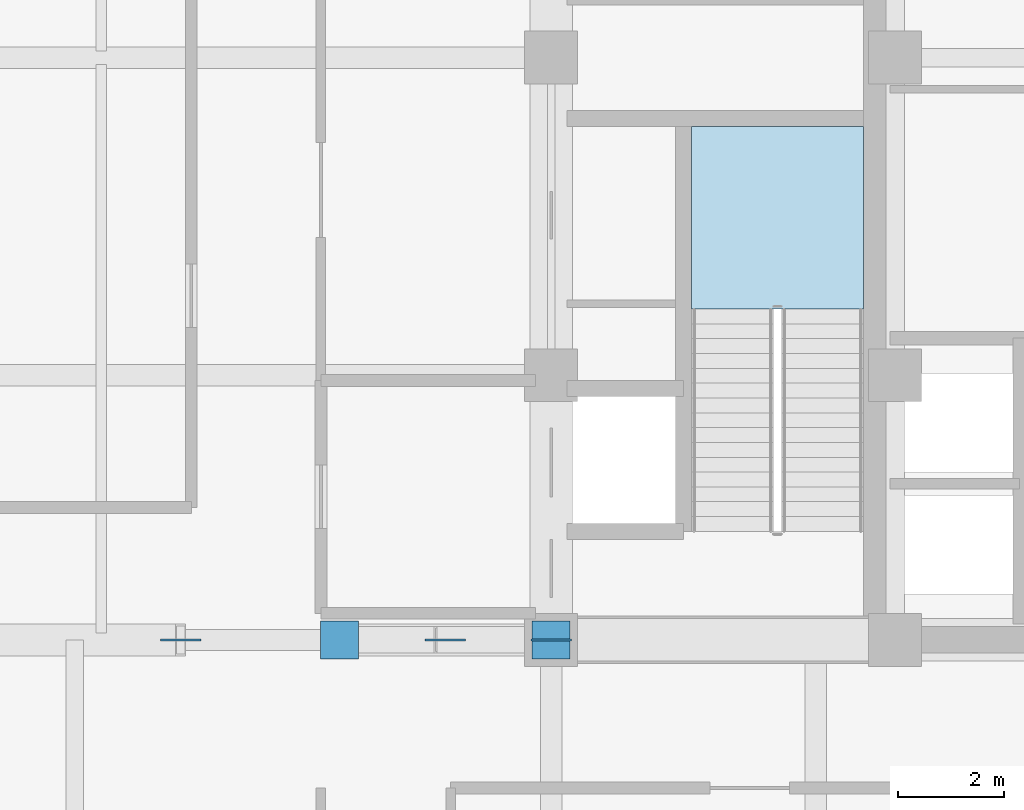
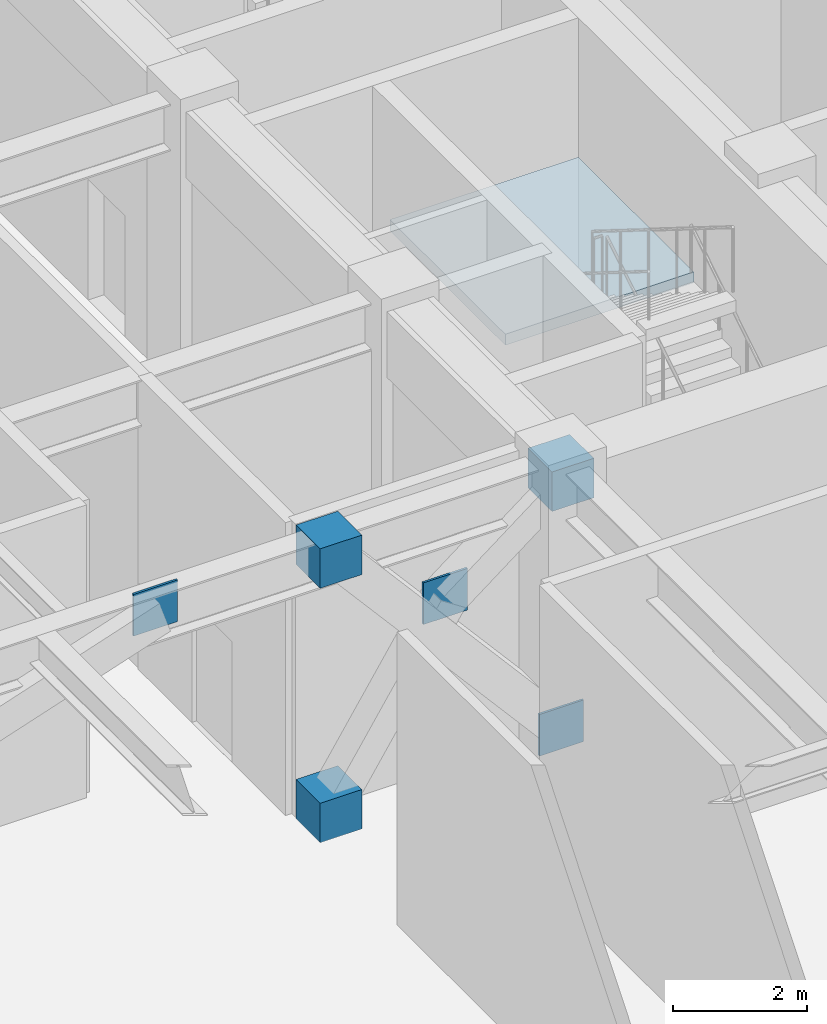
# One storey, part 4 of 21: 6 plates, 1 slab, 1 element without a shape of its own.
"""IFC4 building model written with IfcOpenShell, lengths in metres."""

import ifcopenshell
import ifcopenshell.guid

model = None  # the IFC model being written
_history = None  # IfcOwnerHistory: only IFC2X3 demands one
_inside = {}  # id of a spatial element -> (the spatial element, [elements in it])
_under = {}  # id of a project, library or spatial element -> (it, [spatial elements below it])
_declared = {}  # id of a project -> (the project, [libraries it declares])
_typed = {}  # id of a type object -> (the type object, [elements of that type])
_made_of = {}  # id of a material, layer set ... -> (it, [elements and type objects made of it])


def new_model(schema):
    """Start an empty IFC model of exactly this schema.

    Asked for "IFC4X3", IfcOpenShell would pick the latest addendum, in which some entities
    have other attributes; the version numbers below select the first issue.
    IFC2X3 requires an IfcOwnerHistory on every rooted entity: one is made here for all.
    """
    global model, _history
    if schema == "IFC4X3":
        model = ifcopenshell.file(schema_version=(4, 3, 0, 0))
    else:
        model = ifcopenshell.file(schema=schema)
    _inside.clear()
    _under.clear()
    _declared.clear()
    _typed.clear()
    _made_of.clear()
    _history = None
    if model.schema == "IFC2X3":
        org = make("IfcOrganization", Name="unknown")
        user = make(
            "IfcPersonAndOrganization",
            ThePerson=make("IfcPerson", FamilyName="unknown"),
            TheOrganization=org,
        )
        app = make(
            "IfcApplication",
            ApplicationDeveloper=org,
            Version="unknown",
            ApplicationFullName="unknown",
            ApplicationIdentifier="unknown",
        )
        _history = make(
            "IfcOwnerHistory",
            OwningUser=user,
            OwningApplication=app,
            ChangeAction="ADDED",
            CreationDate=0,
        )
    return model


def make(cls, **values):
    """One entity of the class cls with the attributes given. An attribute that is None is left unset."""
    return model.create_entity(
        cls, **{name: value for name, value in values.items() if value is not None}
    )


def rooted(cls, **values):
    """An entity with a GlobalId (a new one), such as an element, a storey or a relation."""
    return make(cls, GlobalId=ifcopenshell.guid.new(), OwnerHistory=_history, **values)


def si_unit(unit_type, name, prefix=None):
    """IfcSIUnit, for example si_unit("LENGTHUNIT", "METRE", prefix="MILLI")."""
    return make("IfcSIUnit", UnitType=unit_type, Prefix=prefix, Name=name)


def assignment(units):
    """IfcUnitAssignment: the units of a project."""
    return None if units is None else make("IfcUnitAssignment", Units=units)


def point(xyz):
    """IfcCartesianPoint."""
    return None if xyz is None else make("IfcCartesianPoint", Coordinates=xyz)


def direction(xyz):
    """IfcDirection."""
    return None if xyz is None else make("IfcDirection", DirectionRatios=xyz)


def frame(location, z_axis=None, x_axis=None):
    """IfcAxis2Placement3D, a coordinate frame: its origin and axes. An axis left out is left unset."""
    return make(
        "IfcAxis2Placement3D",
        Location=point(location),
        Axis=direction(z_axis),
        RefDirection=direction(x_axis),
    )


def frame_2d(location, x_axis=None):
    """IfcAxis2Placement2D, a coordinate frame in the plane: its origin and x axis."""
    return make(
        "IfcAxis2Placement2D", Location=point(location), RefDirection=direction(x_axis)
    )


def origin():
    """The frame at (0, 0, 0) with its axes left unset."""
    return frame((0.0, 0.0, 0.0))


def origin_2d():
    """The frame at (0, 0) in the plane with its x axis left unset."""
    return frame_2d((0.0, 0.0))


def place(relative_to, where):
    """IfcLocalPlacement: puts the frame where relative to a parent placement (None: the world)."""
    return make(
        "IfcLocalPlacement", PlacementRelTo=relative_to, RelativePlacement=where
    )


def context(
    kind, dimensions, precision=None, world=None, true_north=None, identifier=None
):
    """IfcGeometricRepresentationContext, for example the 3D "Model" context."""
    return make(
        "IfcGeometricRepresentationContext",
        ContextIdentifier=identifier,
        ContextType=kind,
        CoordinateSpaceDimension=dimensions,
        Precision=precision,
        WorldCoordinateSystem=world,
        TrueNorth=true_north,
    )


def subcontext(parent, identifier, kind, view, scale=None):
    """IfcGeometricRepresentationSubContext, for example "Body" below "Model"."""
    return make(
        "IfcGeometricRepresentationSubContext",
        ContextIdentifier=identifier,
        ContextType=kind,
        ParentContext=parent,
        TargetScale=scale,
        TargetView=view,
    )


def project(units=None, contexts=None):
    """IfcProject with its units and contexts."""
    return rooted(
        "IfcProject",
        Name="project",
        RepresentationContexts=contexts,
        UnitsInContext=assignment(units),
    )


def spatial(cls, under=None, at=None, **own):
    """A site, building, storey or space (cls), placed at a placement, below another one or the project."""
    s = rooted(cls, ObjectPlacement=at, **own)
    if under is not None:
        _under.setdefault(under.id(), (under, []))[1].append(s)
    return s


def polyline(points):
    """IfcPolyline through the points."""
    return make("IfcPolyline", Points=[point(p) for p in points])


def profile(cls, at=None, kind="AREA", **sizes):
    """A parametric profile (cls). Its sizes go by their IFC names, for example OverallWidth=200.0."""
    return make(cls, ProfileType=kind, Position=at, **sizes)


def rectangle(**sizes):
    """IfcRectangleProfileDef."""
    return profile("IfcRectangleProfileDef", **sizes)


def outline(outer, holes=None, kind="AREA"):
    """IfcArbitraryClosedProfileDef: a profile drawn as a closed curve; with holes, ...WithVoids."""
    if holes is None:
        return make("IfcArbitraryClosedProfileDef", ProfileType=kind, OuterCurve=outer)
    return make(
        "IfcArbitraryProfileDefWithVoids",
        ProfileType=kind,
        OuterCurve=outer,
        InnerCurves=holes,
    )


def extrude(swept, where, along, depth):
    """IfcExtrudedAreaSolid: the profile swept, set in the frame where, extruded along a direction by depth."""
    return make(
        "IfcExtrudedAreaSolid",
        SweptArea=swept,
        Position=where,
        ExtrudedDirection=direction(along),
        Depth=depth,
    )


def shape(context_of_items, identifier, shape_type, items):
    """IfcShapeRepresentation: the items that make up one representation, for example the "Body"."""
    return make(
        "IfcShapeRepresentation",
        ContextOfItems=context_of_items,
        RepresentationIdentifier=identifier,
        RepresentationType=shape_type,
        Items=items,
    )


def source(mapping_origin, context_of_items, identifier, shape_type, items):
    """IfcRepresentationMap: a shape defined once, which mapped items show again and again."""
    return make(
        "IfcRepresentationMap",
        MappingOrigin=mapping_origin,
        MappedRepresentation=shape(context_of_items, identifier, shape_type, items),
    )


def transform(
    local_origin,
    x_axis=None,
    y_axis=None,
    z_axis=None,
    scale=None,
    scale2=None,
    scale3=None,
    uniform=True,
):
    """IfcCartesianTransformationOperator3D, or its non-uniform kind. x_axis, y_axis, z_axis: its Axis1, 2, 3."""
    if uniform:
        return make(
            "IfcCartesianTransformationOperator3D",
            Axis1=direction(x_axis),
            Axis2=direction(y_axis),
            LocalOrigin=point(local_origin),
            Scale=scale,
            Axis3=direction(z_axis),
        )
    return make(
        "IfcCartesianTransformationOperator3DnonUniform",
        Axis1=direction(x_axis),
        Axis2=direction(y_axis),
        LocalOrigin=point(local_origin),
        Scale=scale,
        Axis3=direction(z_axis),
        Scale2=scale2,
        Scale3=scale3,
    )


def mapped(mapping_source, mapping_target):
    """IfcMappedItem: shows the shape of a source again, moved by a transform."""
    return make(
        "IfcMappedItem", MappingSource=mapping_source, MappingTarget=mapping_target
    )


def material(Name=None, Category=None):
    """IfcMaterial."""
    return make("IfcMaterial", Name=Name, Category=Category)


def layer(
    of_material, thickness, ventilated=None, Name=None, Category=None, Priority=None
):
    """IfcMaterialLayer: one layer of a wall or slab, of a material (None: an air gap)."""
    return make(
        "IfcMaterialLayer",
        Material=of_material,
        LayerThickness=thickness,
        IsVentilated=ventilated,
        Name=Name,
        Category=Category,
        Priority=Priority,
    )


def layer_set(layers, Name=None):
    """IfcMaterialLayerSet."""
    return make("IfcMaterialLayerSet", MaterialLayers=layers, LayerSetName=Name)


def made_of(thing, what):
    """Note that an element or type object is made of a material, layer set ...; save() writes the relation."""
    if what is not None:
        _made_of.setdefault(what.id(), (what, []))[1].append(thing)
    return thing


def type_object(cls, material=None, **own):
    """A type object (cls), such as IfcWallType, which elements share."""
    return made_of(rooted(cls, **own), material)


def element(
    cls,
    number,
    at=None,
    inside=None,
    cuts=None,
    type_object=None,
    material=None,
    context=None,
    identifier="Body",
    shape_type=None,
    held_by="IfcProductDefinitionShape",
    body=None,
    shapes=None,
    **own,
):
    """One element of the class cls, such as IfcWall. Its Tag is "e" and its number.

    at: its placement. inside: the storey or other place that contains it. cuts: it is an
    opening in that element (IfcRelVoidsElement). A single representation is given by context,
    identifier, shape_type and body (its items); several are given by shapes. held_by: the class
    of the entity that holds the representations. save() writes the other relations.
    """
    e = rooted(cls, Tag="e%d" % number, ObjectPlacement=at, **own)
    if body is not None:
        shapes = [shape(context, identifier, shape_type, body)]
    if shapes is not None:
        e.Representation = make(held_by, Representations=shapes)
    if inside is not None:
        _inside.setdefault(inside.id(), (inside, []))[1].append(e)
    if cuts is not None:
        rooted(
            "IfcRelVoidsElement", RelatingBuildingElement=cuts, RelatedOpeningElement=e
        )
    if type_object is not None:
        _typed.setdefault(type_object.id(), (type_object, []))[1].append(e)
    return made_of(e, material)


def aggregate(whole, parts):
    """IfcRelAggregates: a whole, such as a stair, and the parts it consists of."""
    return rooted("IfcRelAggregates", RelatingObject=whole, RelatedObjects=parts)


def save(model, path):
    """Write the relations noted so far, then the file.

    IfcRelAggregates (storeys below a building ...), IfcRelContainedInSpatialStructure (elements
    in a storey), IfcRelDefinesByType, IfcRelAssociatesMaterial and IfcRelDeclares: one each for
    every whole, place, type object, material and project.
    """
    for whole, parts in _under.values():
        aggregate(whole, parts)
    for where, things in _inside.values():
        rooted(
            "IfcRelContainedInSpatialStructure",
            RelatedElements=things,
            RelatingStructure=where,
        )
    for kind, things in _typed.values():
        rooted("IfcRelDefinesByType", RelatedObjects=things, RelatingType=kind)
    for what, things in _made_of.values():
        rooted("IfcRelAssociatesMaterial", RelatedObjects=things, RelatingMaterial=what)
    for by, libraries in _declared.values():
        rooted("IfcRelDeclares", RelatingContext=by, RelatedDefinitions=libraries)
    model.write(path)


model = new_model("IFC4")

# Units and contexts
model_context = context("Model", 3, precision=1e-05, world=origin(), true_north=direction((0.0, 1.0)))
body_context = subcontext(model_context, "Body", "Model", "MODEL_VIEW")
ifc_project = project(units=[si_unit("LENGTHUNIT", "METRE"), si_unit("AREAUNIT", "SQUARE_METRE"), si_unit("VOLUMEUNIT", "CUBIC_METRE"), si_unit("PLANEANGLEUNIT", "RADIAN"), si_unit("MASSUNIT", "GRAM", prefix="KILO")], contexts=[model_context])

# Site, building, storey
site_placement = place(None, origin())
site = spatial("IfcSite", under=ifc_project, at=site_placement, CompositionType="ELEMENT")
building_placement = place(site_placement, origin())
building = spatial("IfcBuilding", under=site, at=building_placement, Name="Khorayat Bourse Tower", CompositionType="ELEMENT")
storey_placement = place(building_placement, frame((0.0, 0.0, 27.0)))
storey = spatial("IfcBuildingStorey", under=building, at=storey_placement, Name="L05", CompositionType="ELEMENT", Elevation=27.0)

# Stair, slab
ifc_material_1 = material(Name="Concrete C40/50", Category="concrete")
stair_type = type_object("IfcStairType", Name="STR-CORE-1550", PredefinedType="HALF_TURN_STAIR", material=ifc_material_1)
stair_placement = place(storey_placement, origin())
stair = element("IfcStair", 1, at=stair_placement, inside=storey, type_object=stair_type, Name="L05 Exit Stair ST-1", PredefinedType="HALF_TURN_STAIR")
ifc_layer_1 = layer(ifc_material_1, 0.199951171875)
ifc_layer_set_1 = layer_set([ifc_layer_1], Name="Concrete C40/50")
slab_type = type_object("IfcSlabType", Name="SLB-LANDING-200", PredefinedType="LANDING", material=ifc_layer_set_1)
slab_placement = place(storey_placement, frame((0.0, 0.0, 2.60009765625)))
slab = element("IfcSlab", 2, at=slab_placement, type_object=slab_type, Name="ST-1 landing 1", PredefinedType="LANDING", context=body_context, shape_type="SweptSolid", body=[
    extrude(outline(polyline([(-5.10009765625, -4.75), (-5.10009765625, -1.300048828125), (-8.35009765625, -1.300048828125), (-8.35009765625, -4.75), (-5.10009765625, -4.75)])), origin(), (0.0, 0.0, 1.0), 0.199951171875),
])
aggregate(stair, [slab])

# Plates
ifc_material_2 = material(Name="Steel EN 10025-4 S460M", Category="steel")
ifc_layer_2 = layer(ifc_material_2, 0.0400390625)
ifc_layer_set_2 = layer_set([ifc_layer_2], Name="Steel EN 10025-4 S460M")
plate_type_1 = type_object("IfcPlateType", Name="PLT-GUSSET-40", PredefinedType="USERDEFINED", material=ifc_layer_set_2)
shared_shape_1 = source(origin(), body_context, "Body", "SweptSolid", [
    extrude(rectangle(XDim=0.760009765625, YDim=0.0400390625, at=origin_2d()), origin(), (0.0, 0.0, 1.0), 0.760009765625),
])
for number, where, z_axis, x_axis, name in (
    (3, (-11.0, -11.0, -0.02978515625), (0.0, 0.0, 1.0), (1.0, 0.0, 0.0), "L05 Outrigger Node Gusset Plate 01"),
    (4, (-18.0, -11.0, 4.60986328125), (0.0, 0.0, 1.0), (1.0, 0.0, 0.0), "L05 Outrigger Node Gusset Plate 03"),
    (5, (-13.0, -11.0, 3.06982421875), (0.0, 0.0, 1.0), (1.0, 0.0, 0.0), "L05 Outrigger X-Crossing Central Gusset Plate 05"),
):
    element("IfcPlate", number, at=place(storey_placement, frame(where, z_axis=z_axis, x_axis=x_axis)), inside=storey, type_object=plate_type_1, Name=name, ObjectType="GUSSET PLATE", PredefinedType="USERDEFINED", context=body_context, shape_type="MappedRepresentation", body=[
        mapped(shared_shape_1, transform((0.0, 0.0, 0.0), scale=1.0)),
    ])
ifc_layer_3 = layer(ifc_material_2, 0.031982421875)
ifc_layer_set_3 = layer_set([ifc_layer_3], Name="Steel EN 10025-4 S460M")
plate_type_2 = type_object("IfcPlateType", Name="PLT-GUSSET-32", PredefinedType="USERDEFINED", material=ifc_layer_set_3)
shared_shape_2 = source(origin(), body_context, "Body", "SweptSolid", [
    extrude(rectangle(XDim=0.719970703125, YDim=0.719970703125, at=origin_2d()), origin(), (0.0, 0.0, 1.0), 0.719970703125),
])
for number, where, z_axis, x_axis, name in (
    (6, (-15.0, -11.0, 4.6298828125), (0.0, 0.0, 1.0), (1.0, 0.0, 0.0), "L05 Outrigger Node Gusset Plate 02"),
    (7, (-11.0, -11.0, 4.6298828125), (0.0, 0.0, 1.0), (1.0, 0.0, 0.0), "L05 Belt Web Sealed Node Block 06"),
    (8, (-15.0, -11.0, -0.009765625), (0.0, 0.0, 1.0), (1.0, 0.0, 0.0), "L05 Belt Web Sealed Node Block 07"),
):
    element("IfcPlate", number, at=place(storey_placement, frame(where, z_axis=z_axis, x_axis=x_axis)), inside=storey, type_object=plate_type_2, Name=name, ObjectType="GUSSET PLATE", PredefinedType="USERDEFINED", context=body_context, shape_type="MappedRepresentation", body=[
        mapped(shared_shape_2, transform((0.0, 0.0, 0.0), scale=1.0)),
    ])

save(model, "model.ifc")
